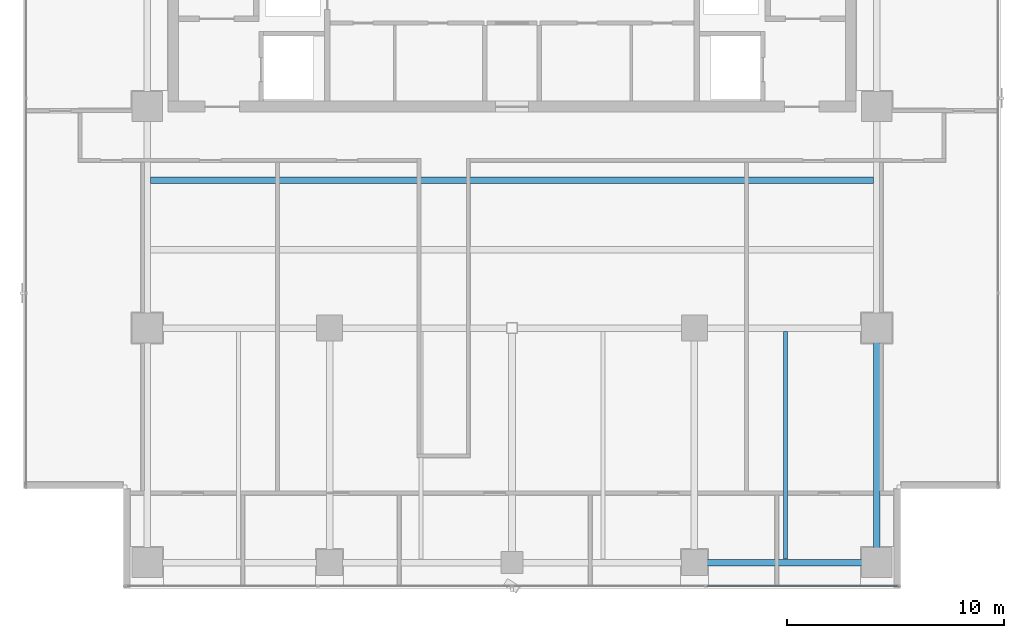
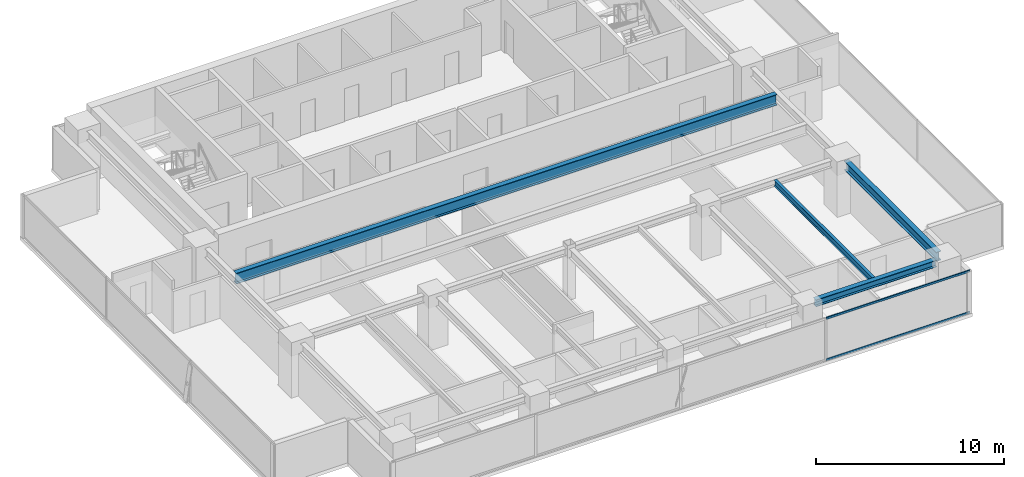
# One storey, part 10 of 26: 4 beams, 2 members, 1 element without a shape of its own.
"""IFC4 building model written with IfcOpenShell, lengths in metres."""

from ifc_helpers import new_model, si_unit, direction, frame, origin, origin_2d, place, context, subcontext, project, spatial, hollow_rectangle, i_section, extrude, source, transform, mapped, material, layer, layer_set, material_profile, profile_set, type_object, element, aggregate, save


model = new_model("IFC4")

# Units and contexts
model_context = context("Model", 3, precision=1e-05, world=origin(), true_north=direction((0.0, 1.0)))
body_context = subcontext(model_context, "Body", "Model", "MODEL_VIEW")
ifc_project = project(units=[si_unit("LENGTHUNIT", "METRE"), si_unit("AREAUNIT", "SQUARE_METRE"), si_unit("VOLUMEUNIT", "CUBIC_METRE"), si_unit("PLANEANGLEUNIT", "RADIAN"), si_unit("MASSUNIT", "GRAM", prefix="KILO")], contexts=[model_context])

# Site, building, storey
site_placement = place(None, origin())
site = spatial("IfcSite", under=ifc_project, at=site_placement, CompositionType="ELEMENT")
building_placement = place(site_placement, origin())
building = spatial("IfcBuilding", under=site, at=building_placement, Name="Sumidabori Civic Tower", CompositionType="ELEMENT")
storey_placement = place(building_placement, frame((0.0, 0.0, 254.0)))
storey = spatial("IfcBuildingStorey", under=building, at=storey_placement, Name="L66", CompositionType="ELEMENT", Elevation=254.0)

# Beams
ifc_material_1 = material(Name="Steel SN490", Category="steel")
ifc_material_profile_1 = material_profile(ifc_material_1, i_section(OverallWidth=0.300048828125, OverallDepth=0.60009765625, WebThickness=0.015380859375, FlangeThickness=0.030029296875, at=origin_2d()), Name="HE 600 B")
ifc_profile_set_1 = profile_set([ifc_material_profile_1], Name="Steel SN490")
beam_type_1 = type_object("IfcBeamType", Name="BM-GIRD-600", PredefinedType="BEAM", material=ifc_profile_set_1)
shared_shape_1 = source(origin(), body_context, "Body", "SweptSolid", [
    extrude(i_section(OverallWidth=0.300048828125, OverallDepth=0.60009765625, WebThickness=0.015380859375, FlangeThickness=0.030029296875, at=origin_2d()), origin(), (0.0, 0.0, 1.0), 9.840087890625),
])
beam_1_placement = place(storey_placement, frame((16.800048828125, -10.320068359375, 3.070068359375), z_axis=(0.0, 1.0, 0.0), x_axis=(-1.0, 0.0, 0.0)))
element("IfcBeam", 1, at=beam_1_placement, inside=storey, type_object=beam_type_1, Name="Primary Girder L66 GY-15", PredefinedType="BEAM", context=body_context, shape_type="MappedRepresentation", body=[
    mapped(shared_shape_1, transform((0.0, 0.0, 0.0), x_axis=(1.0, 0.0, 0.0), y_axis=(0.0, 1.0, 0.0), z_axis=(0.0, 0.0, 1.0), scale=1.0)),
])
ifc_material_profile_2 = material_profile(ifc_material_1, i_section(OverallWidth=0.300048828125, OverallDepth=0.699951171875, WebThickness=0.01708984375, FlangeThickness=0.031982421875, at=origin_2d()), Name="HE 700 B")
ifc_profile_set_2 = profile_set([ifc_material_profile_2], Name="Steel SN490")
beam_type_2 = type_object("IfcBeamType", Name="BM-GIRD-700", PredefinedType="BEAM", material=ifc_profile_set_2)
shared_shape_2 = source(origin(), body_context, "Body", "SweptSolid", [
    extrude(i_section(OverallWidth=0.300048828125, OverallDepth=0.699951171875, WebThickness=0.01708984375, FlangeThickness=0.031982421875, at=origin_2d()), origin(), (0.0, 0.0, 1.0), 33.2998046875),
])
beam_2_placement = place(storey_placement, frame((-16.64990234375, 6.800048828125, 3.02001953125), z_axis=(1.0, 0.0, 0.0), x_axis=(0.0, 1.0, 0.0)))
element("IfcBeam", 2, at=beam_2_placement, inside=storey, type_object=beam_type_2, Name="North Bay Floor Beam L66 JSTN-19", PredefinedType="BEAM", context=body_context, shape_type="MappedRepresentation", body=[
    mapped(shared_shape_2, transform((0.0, 0.0, 0.0), x_axis=(1.0, 0.0, 0.0), y_axis=(0.0, 1.0, 0.0), z_axis=(0.0, 0.0, 1.0), scale=1.0)),
])
ifc_material_profile_3 = material_profile(ifc_material_1, i_section(OverallWidth=0.300048828125, OverallDepth=0.449951171875, WebThickness=0.013916015625, FlangeThickness=0.02587890625, at=origin_2d()), Name="HE 450 B")
ifc_profile_set_3 = profile_set([ifc_material_profile_3], Name="Steel SN490")
beam_type_3 = type_object("IfcBeamType", Name="BM-GIRD-450", PredefinedType="BEAM", material=ifc_profile_set_3)
shared_shape_3 = source(origin(), body_context, "Body", "SweptSolid", [
    extrude(i_section(OverallWidth=0.300048828125, OverallDepth=0.449951171875, WebThickness=0.013916015625, FlangeThickness=0.02587890625, at=origin_2d()), origin(), (0.0, 0.0, 1.0), 7.440185546875),
])
beam_3_placement = place(storey_placement, frame((8.8798828125, -10.800048828125, 3.14501953125), z_axis=(1.0, 0.0, 0.0), x_axis=(0.0, 1.0, 0.0)))
element("IfcBeam", 3, at=beam_3_placement, inside=storey, type_object=beam_type_3, Name="Primary Girder L66 GX-04", PredefinedType="BEAM", context=body_context, shape_type="MappedRepresentation", body=[
    mapped(shared_shape_3, transform((0.0, 0.0, 0.0), x_axis=(1.0, 0.0, 0.0), y_axis=(0.0, 1.0, 0.0), z_axis=(0.0, 0.0, 1.0), scale=1.0)),
])
ifc_material_profile_4 = material_profile(ifc_material_1, i_section(OverallWidth=0.179931640625, OverallDepth=0.39990234375, WebThickness=0.008544921875, FlangeThickness=0.013427734375, at=origin_2d()), Name="IPE 400")
ifc_profile_set_4 = profile_set([ifc_material_profile_4], Name="Steel SN490")
beam_type_4 = type_object("IfcBeamType", Name="BM-JST-400", PredefinedType="JOIST", material=ifc_profile_set_4)
shared_shape_4 = source(origin(), body_context, "Body", "SweptSolid", [
    extrude(i_section(OverallWidth=0.179931640625, OverallDepth=0.39990234375, WebThickness=0.008544921875, FlangeThickness=0.013427734375, at=origin_2d()), origin(), (0.0, 0.0, 1.0), 10.5),
])
beam_4_placement = place(storey_placement, frame((12.60009765625, -10.64990234375, 3.169921875), z_axis=(0.0, 1.0, 0.0), x_axis=(-1.0, 0.0, 0.0)))
element("IfcBeam", 4, at=beam_4_placement, inside=storey, type_object=beam_type_4, Name="Upper Lens N-S Floor Joist L66 JSTV-23", PredefinedType="JOIST", context=body_context, shape_type="MappedRepresentation", body=[
    mapped(shared_shape_4, transform((0.0, 0.0, 0.0), x_axis=(1.0, 0.0, 0.0), y_axis=(0.0, 1.0, 0.0), z_axis=(0.0, 0.0, 1.0), scale=1.0)),
])

# Curtain wall, members
ifc_material_2 = material(Name="Anodised Bronze Aluminium AW-6063-T6", Category="aluminium")
ifc_layer = layer(ifc_material_2, 0.179931640625, Name="Anodised Bronze Aluminium AW-6063-T6")
ifc_layer_set = layer_set([ifc_layer], Name="Anodised Bronze Aluminium AW-6063-T6")
curtain_wall_type = type_object("IfcCurtainWallType", Name="CW-SYS-5", PredefinedType="NOTDEFINED", material=ifc_layer_set)
curtain_wall_placement = place(storey_placement, origin())
curtain_wall = element("IfcCurtainWall", 5, at=curtain_wall_placement, inside=storey, type_object=curtain_wall_type, Name="Curtain Wall CW:L66:R01", PredefinedType="NOTDEFINED")
ifc_material_profile_5 = material_profile(ifc_material_2, hollow_rectangle(XDim=0.06005859375, YDim=0.1298828125, WallThickness=0.0048828125, at=origin_2d()), Name="ALU TRANSOM 130x60")
ifc_profile_set_5 = profile_set([ifc_material_profile_5], Name="Anodised Bronze Aluminium AW-6063-T6")
member_type = type_object("IfcMemberType", Name="CW-TRN-130", PredefinedType="USERDEFINED", material=ifc_profile_set_5)
shared_shape_5 = source(origin(), body_context, "Body", "SweptSolid", [
    extrude(hollow_rectangle(XDim=0.06005859375, YDim=0.1298828125, WallThickness=0.0048828125, at=origin_2d()), origin(), (0.0, 0.0, 1.0), 8.844970703125),
])
member_1_placement = place(storey_placement, frame((8.965087890625, -11.8798828125, 0.030029296875), z_axis=(1.0, 0.0, 0.0), x_axis=(0.0, 1.0, 0.0)))
member_1 = element("IfcMember", 6, at=member_1_placement, type_object=member_type, Name="CW-5 transom 4.1", ObjectType="TRANSOM", PredefinedType="USERDEFINED", context=body_context, shape_type="MappedRepresentation", body=[
    mapped(shared_shape_5, transform((0.0, 0.0, 0.0), x_axis=(1.0, 0.0, 0.0), y_axis=(0.0, 1.0, 0.0), z_axis=(0.0, 0.0, 1.0), scale=1.0)),
])
member_2_placement = place(storey_placement, frame((8.965087890625, -11.8798828125, 2.719970703125), z_axis=(1.0, 0.0, 0.0), x_axis=(0.0, 1.0, 0.0)))
member_2 = element("IfcMember", 7, at=member_2_placement, type_object=member_type, Name="CW-5 transom 4.2", ObjectType="TRANSOM", PredefinedType="USERDEFINED", context=body_context, shape_type="MappedRepresentation", body=[
    mapped(shared_shape_5, transform((0.0, 0.0, 0.0), x_axis=(1.0, 0.0, 0.0), y_axis=(0.0, 1.0, 0.0), z_axis=(0.0, 0.0, 1.0), scale=1.0)),
])
aggregate(curtain_wall, [member_1, member_2])

save(model, "model.ifc")
